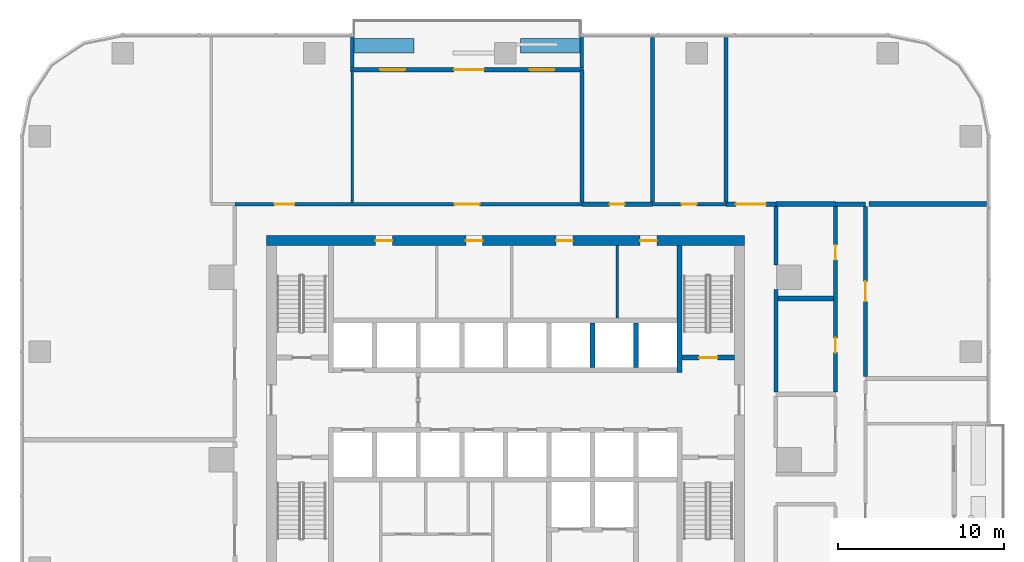
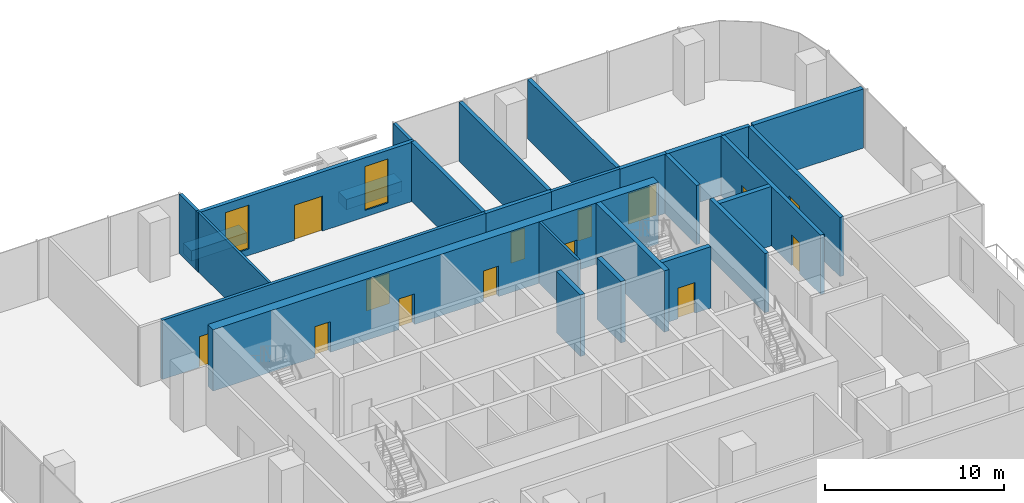
# One storey, part 10 of 14: 27 walls, 14 doors, 2 windows, 16 openings.
"""IFC4 building model written with IfcOpenShell, lengths in metres."""

from ifc_helpers import new_model, si_unit, direction, frame, frame_2d, origin, place, context, subcontext, project, spatial, rectangle, extrude, material, layer, layer_set, type_object, element, fill, save


model = new_model("IFC4")

# Units and contexts
model_context = context("Model", 3, precision=1e-05, world=origin(), true_north=direction((0.0, 1.0)))
body_context = subcontext(model_context, "Body", "Model", "MODEL_VIEW")
ifc_project = project(units=[si_unit("LENGTHUNIT", "METRE"), si_unit("AREAUNIT", "SQUARE_METRE"), si_unit("VOLUMEUNIT", "CUBIC_METRE"), si_unit("PLANEANGLEUNIT", "RADIAN"), si_unit("MASSUNIT", "GRAM", prefix="KILO")], contexts=[model_context])

# Site, building, storey
site_placement = place(None, origin())
site = spatial("IfcSite", under=ifc_project, at=site_placement, CompositionType="ELEMENT")
building_placement = place(site_placement, origin())
building = spatial("IfcBuilding", under=site, at=building_placement, Name="Mopane Tessera Tower", CompositionType="ELEMENT")
storey_placement = place(building_placement, frame((0.0, 0.0, 126.10009765625)))
storey = spatial("IfcBuildingStorey", under=building, at=storey_placement, Name="L25", CompositionType="ELEMENT", Elevation=126.10009765625)

# Wall
ifc_material_1 = material(Name="Fire-rated gypsum board partition")
ifc_layer_1 = layer(ifc_material_1, 0.14990234375)
ifc_layer_set_1 = layer_set([ifc_layer_1], Name="Fire-rated gypsum board partition")
wall_type_1 = type_object("IfcWallType", Name="Core room partition 150 mm", PredefinedType="PARTITIONING", material=ifc_layer_set_1)
wall_1_placement = place(storey_placement, frame((6.75, 8.550048828125, 0.0), z_axis=(0.0, 0.0, 1.0), x_axis=(0.0, 1.0, 0.0)))
element("IfcWall", 1, at=wall_1_placement, inside=storey, type_object=wall_type_1, Name="L25 Room partition", PredefinedType="PARTITIONING", context=body_context, shape_type="SweptSolid", body=[
    extrude(rectangle(XDim=4.349853515625, YDim=0.14990234375, at=frame_2d((2.1748046875, 0.0))), origin(), (0.0, 0.0, 1.0), 4.199951171875),
])

# Wall, openings, doors
ifc_material_2 = material(Name="Concrete C70/85", Category="concrete")
ifc_layer_2 = layer(ifc_material_2, 0.60009765625)
ifc_layer_set_2 = layer_set([ifc_layer_2], Name="Concrete C70/85")
wall_type_2 = type_object("IfcWallType", Name="Core shear wall 600 mm", PredefinedType="SHEAR", material=ifc_layer_set_2)
wall_2_placement = place(storey_placement, frame((-14.39990234375, 13.199951171875, 0.0), z_axis=(0.0, 0.0, 1.0), x_axis=(1.0, 0.0, 0.0)))
wall_2 = element("IfcWall", 2, at=wall_2_placement, inside=storey, type_object=wall_type_2, Name="L25 Core wall north", PredefinedType="SHEAR", context=body_context, shape_type="SweptSolid", body=[
    extrude(rectangle(XDim=28.7998046875, YDim=0.60009765625, at=frame_2d((14.39990234375, 0.0))), origin(), (0.0, 0.0, 1.0), 4.199951171875),
])
opening_1_placement = place(wall_2_placement, frame((6.58740234375, 0.0, 0.0)))
opening_1 = element("IfcOpeningElement", 3, at=opening_1_placement, cuts=wall_2, Name="Opening RD1", PredefinedType="OPENING", context=body_context, shape_type="SweptSolid", body=[
    extrude(rectangle(XDim=1.0, YDim=2.10009765625, at=frame_2d((0.5, 1.050048828125))), frame((0.0, 0.31201171875, 0.0), z_axis=(0.0, -1.0, 0.0), x_axis=(1.0, 0.0, 0.0)), (0.0, 0.0, 1.0), 0.6240234375),
])
opening_2_placement = place(wall_2_placement, frame((12.02490234375, 0.0, 0.0)))
opening_2 = element("IfcOpeningElement", 4, at=opening_2_placement, cuts=wall_2, Name="Opening RD1", PredefinedType="OPENING", context=body_context, shape_type="SweptSolid", body=[
    extrude(rectangle(XDim=1.0, YDim=2.10009765625, at=frame_2d((0.5, 1.050048828125))), frame((0.0, 0.31201171875, 0.0), z_axis=(0.0, -1.0, 0.0), x_axis=(1.0, 0.0, 0.0)), (0.0, 0.0, 1.0), 0.6240234375),
])
opening_3_placement = place(wall_2_placement, frame((17.46240234375, 0.0, 0.0)))
opening_3 = element("IfcOpeningElement", 5, at=opening_3_placement, cuts=wall_2, Name="Opening RD1", PredefinedType="OPENING", context=body_context, shape_type="SweptSolid", body=[
    extrude(rectangle(XDim=1.0, YDim=2.10009765625, at=frame_2d((0.5, 1.050048828125))), frame((0.0, 0.31201171875, 0.0), z_axis=(0.0, -1.0, 0.0), x_axis=(1.0, 0.0, 0.0)), (0.0, 0.0, 1.0), 0.6240234375),
])
opening_4_placement = place(wall_2_placement, frame((22.52490234375, 0.0, 0.0)))
opening_4 = element("IfcOpeningElement", 6, at=opening_4_placement, cuts=wall_2, Name="Opening RD1", PredefinedType="OPENING", context=body_context, shape_type="SweptSolid", body=[
    extrude(rectangle(XDim=1.0, YDim=2.10009765625, at=frame_2d((0.5, 1.050048828125))), frame((0.0, 0.31201171875, 0.0), z_axis=(0.0, -1.0, 0.0), x_axis=(1.0, 0.0, 0.0)), (0.0, 0.0, 1.0), 0.6240234375),
])
ifc_material_3 = material(Name="Timber door", Category="wood")
door_type_1 = type_object("IfcDoorType", Name="Core room door 1000 x 2100", OperationType="SINGLE_SWING_LEFT", PredefinedType="DOOR", material=ifc_material_3)
door_1_placement = place(opening_1_placement, origin())
door_1 = element("IfcDoor", 7, at=door_1_placement, inside=storey, type_object=door_type_1, Name="L25 Room door", OperationType="SINGLE_SWING_LEFT", OverallHeight=2.10009765625, OverallWidth=1.0, PredefinedType="DOOR", context=body_context, shape_type="SweptSolid", body=[
    extrude(rectangle(XDim=1.0, YDim=2.10009765625, at=frame_2d((0.5, 1.050048828125))), frame((0.0, 0.02490234375, 0.0), z_axis=(0.0, -1.0, 0.0), x_axis=(1.0, 0.0, 0.0)), (0.0, 0.0, 1.0), 0.050048828125),
])
fill(opening_1, door_1)
door_2_placement = place(opening_2_placement, origin())
door_2 = element("IfcDoor", 8, at=door_2_placement, inside=storey, type_object=door_type_1, Name="L25 Room door", OperationType="SINGLE_SWING_LEFT", OverallHeight=2.10009765625, OverallWidth=1.0, PredefinedType="DOOR", context=body_context, shape_type="SweptSolid", body=[
    extrude(rectangle(XDim=1.0, YDim=2.10009765625, at=frame_2d((0.5, 1.050048828125))), frame((0.0, 0.02490234375, 0.0), z_axis=(0.0, -1.0, 0.0), x_axis=(1.0, 0.0, 0.0)), (0.0, 0.0, 1.0), 0.050048828125),
])
fill(opening_2, door_2)
door_3_placement = place(opening_3_placement, origin())
door_3 = element("IfcDoor", 9, at=door_3_placement, inside=storey, type_object=door_type_1, Name="L25 Room door", OperationType="SINGLE_SWING_LEFT", OverallHeight=2.10009765625, OverallWidth=1.0, PredefinedType="DOOR", context=body_context, shape_type="SweptSolid", body=[
    extrude(rectangle(XDim=1.0, YDim=2.10009765625, at=frame_2d((0.5, 1.050048828125))), frame((0.0, 0.02490234375, 0.0), z_axis=(0.0, -1.0, 0.0), x_axis=(1.0, 0.0, 0.0)), (0.0, 0.0, 1.0), 0.050048828125),
])
fill(opening_3, door_3)
door_4_placement = place(opening_4_placement, origin())
door_4 = element("IfcDoor", 10, at=door_4_placement, inside=storey, type_object=door_type_1, Name="L25 Room door", OperationType="SINGLE_SWING_LEFT", OverallHeight=2.10009765625, OverallWidth=1.0, PredefinedType="DOOR", context=body_context, shape_type="SweptSolid", body=[
    extrude(rectangle(XDim=1.0, YDim=2.10009765625, at=frame_2d((0.5, 1.050048828125))), frame((0.0, 0.02490234375, 0.0), z_axis=(0.0, -1.0, 0.0), x_axis=(1.0, 0.0, 0.0)), (0.0, 0.0, 1.0), 0.050048828125),
])
fill(opening_4, door_4)

# Wall
ifc_material_4 = material(Name="Concrete C60/75", Category="concrete")
ifc_layer_3 = layer(ifc_material_4, 0.300048828125)
ifc_layer_set_3 = layer_set([ifc_layer_3], Name="Concrete C60/75")
wall_type_3 = type_object("IfcWallType", Name="Core spine wall 300 mm", PredefinedType="SHEAR", material=ifc_layer_set_3)
wall_3_placement = place(storey_placement, frame((10.5, 5.25, 0.0), z_axis=(0.0, 0.0, 1.0), x_axis=(0.0, 1.0, 0.0)))
element("IfcWall", 11, at=wall_3_placement, inside=storey, type_object=wall_type_3, Name="L25 Core spine wall", PredefinedType="SHEAR", context=body_context, shape_type="SweptSolid", body=[
    extrude(rectangle(XDim=7.64990234375, YDim=0.300048828125, at=frame_2d((3.824951171875, 0.0))), origin(), (0.0, 0.0, 1.0), 4.199951171875),
])

# Wall, openings, doors
ifc_material_5 = material(Name="Gypsum board on steel studs, two layers each face, mineral wool infill", Category="steel")
ifc_layer_4 = layer(ifc_material_5, 0.199951171875)
ifc_layer_set_4 = layer_set([ifc_layer_4], Name="Gypsum board on steel studs, two layers each face, mineral wool infill")
wall_type_4 = type_object("IfcWallType", Name="Gypsum board corridor wall 200, rated EI 60", PredefinedType="PARTITIONING", material=ifc_layer_set_4)
wall_4_placement = place(storey_placement, frame((-16.300048828125, 15.39990234375, 0.0), z_axis=(0.0, 0.0, 1.0), x_axis=(1.0, 0.0, 0.0)))
wall_4 = element("IfcWall", 12, at=wall_4_placement, inside=storey, type_object=wall_type_4, Name="Partition L25:025", PredefinedType="PARTITIONING", context=body_context, shape_type="SweptSolid", body=[
    extrude(rectangle(XDim=20.91015625, YDim=0.199951171875, at=frame_2d((10.455078125, 0.0))), origin(), (0.0, 0.0, 1.0), 4.0498046875),
])
opening_5_placement = place(wall_4_placement, frame((13.2451171875, 0.0, 0.0)))
opening_5 = element("IfcOpeningElement", 13, at=opening_5_placement, cuts=wall_4, Name="Opening L25-03", PredefinedType="OPENING", context=body_context, shape_type="SweptSolid", body=[
    extrude(rectangle(XDim=1.5, YDim=2.10009765625, at=frame_2d((0.75, 1.050048828125))), frame((0.0, 0.112060546875, 0.0), z_axis=(0.0, -1.0, 0.0), x_axis=(1.0, 0.0, 0.0)), (0.0, 0.0, 1.0), 0.223876953125),
])
opening_6_placement = place(wall_4_placement, frame((2.387451171875, 0.0, 0.0)))
opening_6 = element("IfcOpeningElement", 14, at=opening_6_placement, cuts=wall_4, Name="Opening L25-15", PredefinedType="OPENING", context=body_context, shape_type="SweptSolid", body=[
    extrude(rectangle(XDim=1.199951171875, YDim=2.10009765625, at=frame_2d((0.60009765625, 1.050048828125))), frame((0.0, 0.112060546875, 0.0), z_axis=(0.0, -1.0, 0.0), x_axis=(1.0, 0.0, 0.0)), (0.0, 0.0, 1.0), 0.223876953125),
])
ifc_material_6 = material(Name="Timber veneered steel-framed fire door", Category="steel")
door_type_2 = type_object("IfcDoorType", Name="Fire door FD60 1200 x 2100", OperationType="SINGLE_SWING_LEFT", PredefinedType="DOOR", material=ifc_material_6)
door_5_placement = place(opening_6_placement, origin())
door_5 = element("IfcDoor", 15, at=door_5_placement, inside=storey, type_object=door_type_2, Name="Door L25-15", ObjectType="D15A", OperationType="SINGLE_SWING_RIGHT", OverallHeight=2.10009765625, OverallWidth=1.199951171875, PredefinedType="DOOR", context=body_context, shape_type="SweptSolid", body=[
    extrude(rectangle(XDim=1.199951171875, YDim=2.10009765625, at=frame_2d((0.60009765625, 1.050048828125))), frame((0.0, 0.02490234375, 0.0), z_axis=(0.0, -1.0, 0.0), x_axis=(1.0, 0.0, 0.0)), (0.0, 0.0, 1.0), 0.050048828125),
])
fill(opening_6, door_5)
ifc_material_7 = material(Name="Timber veneered steel-framed fire door", Category="steel")
door_type_3 = type_object("IfcDoorType", Name="Fire door pair FD60 1500 x 2100", OperationType="DOUBLE_DOOR_SINGLE_SWING", PredefinedType="DOOR", material=ifc_material_7)
door_6_placement = place(opening_5_placement, origin())
door_6 = element("IfcDoor", 16, at=door_6_placement, inside=storey, type_object=door_type_3, Name="Door L25-03", ObjectType="D17A", OperationType="DOUBLE_DOOR_SINGLE_SWING", OverallHeight=2.10009765625, OverallWidth=1.5, PredefinedType="DOOR", context=body_context, shape_type="SweptSolid", body=[
    extrude(rectangle(XDim=1.5, YDim=2.10009765625, at=frame_2d((0.75, 1.050048828125))), frame((0.0, 0.02490234375, 0.0), z_axis=(0.0, -1.0, 0.0), x_axis=(1.0, 0.0, 0.0)), (0.0, 0.0, 1.0), 0.050048828125),
])
fill(opening_5, door_6)

# Wall, opening, door
wall_5_placement = place(storey_placement, frame((8.860107421875, 15.39990234375, 0.0), z_axis=(0.0, 0.0, 1.0), x_axis=(1.0, 0.0, 0.0)))
wall_5 = element("IfcWall", 17, at=wall_5_placement, inside=storey, type_object=wall_type_4, Name="Partition L25:026", PredefinedType="PARTITIONING", context=body_context, shape_type="SweptSolid", body=[
    extrude(rectangle(XDim=4.429931640625, YDim=0.199951171875, at=frame_2d((2.21484375, 0.0))), origin(), (0.0, 0.0, 1.0), 4.0498046875),
])
opening_7_placement = place(wall_5_placement, frame((1.764892578125, 0.0, 0.0)))
opening_7 = element("IfcOpeningElement", 18, at=opening_7_placement, cuts=wall_5, Name="Opening L25-21", PredefinedType="OPENING", context=body_context, shape_type="SweptSolid", body=[
    extrude(rectangle(XDim=0.89990234375, YDim=2.10009765625, at=frame_2d((0.449951171875, 1.050048828125))), frame((0.0, 0.112060546875, 0.0), z_axis=(0.0, -1.0, 0.0), x_axis=(1.0, 0.0, 0.0)), (0.0, 0.0, 1.0), 0.223876953125),
])
ifc_material_8 = material(Name="Timber veneered steel-framed fire door", Category="steel")
door_type_4 = type_object("IfcDoorType", Name="Fire door FD60 900 x 2100", OperationType="SINGLE_SWING_LEFT", PredefinedType="DOOR", material=ifc_material_8)
door_7_placement = place(opening_7_placement, origin())
door_7 = element("IfcDoor", 19, at=door_7_placement, inside=storey, type_object=door_type_4, Name="Door L25-21", ObjectType="D10A", OperationType="SINGLE_SWING_RIGHT", OverallHeight=2.10009765625, OverallWidth=0.89990234375, PredefinedType="DOOR", context=body_context, shape_type="SweptSolid", body=[
    extrude(rectangle(XDim=0.89990234375, YDim=2.10009765625, at=frame_2d((0.449951171875, 1.050048828125))), frame((0.0, 0.02490234375, 0.0), z_axis=(0.0, -1.0, 0.0), x_axis=(1.0, 0.0, 0.0)), (0.0, 0.0, 1.0), 0.050048828125),
])
fill(opening_7, door_7)

# Wall
ifc_material_9 = material(Name="Gypsum board on steel studs, mineral wool infill", Category="steel")
ifc_layer_5 = layer(ifc_material_9, 0.14990234375)
ifc_layer_set_5 = layer_set([ifc_layer_5], Name="Gypsum board on steel studs, mineral wool infill")
wall_type_5 = type_object("IfcWallType", Name="Gypsum board partition 150, rated EI 60", PredefinedType="PARTITIONING", material=ifc_layer_set_5)
wall_6_placement = place(storey_placement, frame((-9.219970703125, 15.5, 0.0), z_axis=(0.0, 0.0, 1.0), x_axis=(0.0, 1.0, 0.0)))
element("IfcWall", 20, at=wall_6_placement, inside=storey, type_object=wall_type_5, Name="Partition L25:039", PredefinedType="PARTITIONING", context=body_context, shape_type="SweptSolid", body=[
    extrude(rectangle(XDim=7.949951171875, YDim=0.14990234375, at=frame_2d((3.97509765625, 0.0))), origin(), (0.0, 0.0, 1.0), 4.0498046875),
])

# Wall, opening, door
ifc_material_10 = material(Name="Concrete C50/60", Category="concrete")
ifc_layer_6 = layer(ifc_material_10, 0.300048828125)
ifc_layer_set_6 = layer_set([ifc_layer_6], Name="Concrete C50/60")
wall_type_6 = type_object("IfcWallType", Name="Lift and stair shaft wall 300 mm", PredefinedType="SOLIDWALL", material=ifc_layer_set_6)
wall_7_placement = place(storey_placement, frame((10.64990234375, 6.14990234375, 0.0), z_axis=(0.0, 0.0, 1.0), x_axis=(1.0, 0.0, 0.0)))
wall_7 = element("IfcWall", 21, at=wall_7_placement, inside=storey, type_object=wall_type_6, Name="L25 Stair enclosure wall", PredefinedType="SOLIDWALL", context=body_context, shape_type="SweptSolid", body=[
    extrude(rectangle(XDim=3.150146484375, YDim=0.300048828125, at=frame_2d((1.5751953125, 0.0))), origin(), (0.0, 0.0, 1.0), 4.199951171875),
])
opening_8_placement = place(wall_7_placement, frame((1.02490234375, 0.0, 0.0)))
opening_8 = element("IfcOpeningElement", 22, at=opening_8_placement, cuts=wall_7, Name="Opening SD1", PredefinedType="OPENING", context=body_context, shape_type="SweptSolid", body=[
    extrude(rectangle(XDim=1.10009765625, YDim=2.10009765625, at=frame_2d((0.550048828125, 1.050048828125))), frame((0.0, 0.162109375, 0.0), z_axis=(0.0, -1.0, 0.0), x_axis=(1.0, 0.0, 0.0)), (0.0, 0.0, 1.0), 0.323974609375),
])
ifc_material_11 = material(Name="Steel fire door", Category="steel")
door_type_5 = type_object("IfcDoorType", Name="Stair fire door 1100 x 2100", OperationType="SINGLE_SWING_LEFT", PredefinedType="DOOR", material=ifc_material_11)
door_8_placement = place(opening_8_placement, origin())
door_8 = element("IfcDoor", 23, at=door_8_placement, inside=storey, type_object=door_type_5, Name="L25 Stair door ST4", OperationType="SINGLE_SWING_RIGHT", OverallHeight=2.10009765625, OverallWidth=1.10009765625, PredefinedType="DOOR", context=body_context, shape_type="SweptSolid", body=[
    extrude(rectangle(XDim=1.10009765625, YDim=2.10009765625, at=frame_2d((0.550048828125, 1.050048828125))), frame((0.0, 0.02490234375, 0.0), z_axis=(0.0, -1.0, 0.0), x_axis=(1.0, 0.0, 0.0)), (0.0, 0.0, 1.0), 0.050048828125),
])
fill(opening_8, door_8)

# Walls
for number, where, z_axis, x_axis, name in (
    (24, (5.25, 5.550048828125, 0.0), (0.0, 0.0, 1.0), (0.0, 1.0, 0.0), "L25 Lift shaft wall"),
    (25, (7.875, 5.550048828125, 0.0), (0.0, 0.0, 1.0), (0.0, 1.0, 0.0), "L25 Lift shaft wall"),
):
    element("IfcWall", number, at=place(storey_placement, frame(where, z_axis=z_axis, x_axis=x_axis)), inside=storey, type_object=wall_type_6, Name=name, PredefinedType="SOLIDWALL", context=body_context, shape_type="SweptSolid", body=[
        extrude(rectangle(XDim=2.699951171875, YDim=0.300048828125, at=frame_2d((1.35009765625, 0.0))), origin(), (0.0, 0.0, 1.0), 4.199951171875),
    ])
ifc_material_12 = material(Name="Reinforced concrete C32/40 with waterproofing", Category="concrete")
ifc_layer_7 = layer(ifc_material_12, 0.89990234375)
ifc_layer_set_7 = layer_set([ifc_layer_7], Name="Reinforced concrete C32/40 with waterproofing")
wall_type_7 = type_object("IfcWallType", Name="Planter trough 3600 x 900", PredefinedType="STANDARD", material=ifc_layer_set_7)
for number, where, z_axis, x_axis, name in (
    (26, (4.510009765625, 24.949951171875, 0.0), (0.0, 0.0, 1.0), (-1.0, 0.0, 0.0), "e:nw:L25:N1:pl0"),
    (27, (-5.52001953125, 24.949951171875, 0.0), (0.0, 0.0, 1.0), (-1.0, 0.0, 0.0), "e:nw:L25:N1:pl1"),
):
    element("IfcWall", number, at=place(storey_placement, frame(where, z_axis=z_axis, x_axis=x_axis)), inside=storey, type_object=wall_type_7, Name=name, PredefinedType="STANDARD", context=body_context, shape_type="SweptSolid", body=[
        extrude(rectangle(XDim=3.60009765625, YDim=0.89990234375, at=frame_2d((1.800048828125, 0.0))), origin(), (0.0, 0.0, 1.0), 0.699951171875),
    ])
ifc_material_13 = material(Name="Plastered concrete blockwork C20/25", Category="masonry")
ifc_layer_8 = layer(ifc_material_13, 0.300048828125)
ifc_layer_set_8 = layer_set([ifc_layer_8], Name="Plastered concrete blockwork C20/25")
wall_type_8 = type_object("IfcWallType", Name="Plastered blockwork separation wall 300, rated EI 120", PredefinedType="PARTITIONING", material=ifc_layer_set_8)
wall_8_placement = place(storey_placement, frame((16.425048828125, 9.72509765625, 0.0), z_axis=(0.0, 0.0, 1.0), x_axis=(1.0, 0.0, 0.0)))
element("IfcWall", 28, at=wall_8_placement, inside=storey, type_object=wall_type_8, Name="Partition L25:023", PredefinedType="PARTITIONING", context=body_context, shape_type="SweptSolid", body=[
    extrude(rectangle(XDim=3.349853515625, YDim=0.300048828125, at=frame_2d((1.6748046875, 0.0))), origin(), (0.0, 0.0, 1.0), 4.0498046875),
])
wall_9_placement = place(storey_placement, frame((16.300048828125, 15.39990234375, 0.0), z_axis=(0.0, 0.0, 1.0), x_axis=(1.0, 0.0, 0.0)))
element("IfcWall", 29, at=wall_9_placement, inside=storey, type_object=wall_type_8, Name="Partition L25:030", PredefinedType="PARTITIONING", context=body_context, shape_type="SweptSolid", body=[
    extrude(rectangle(XDim=3.599853515625, YDim=0.300048828125, at=frame_2d((1.7998046875, 0.0))), origin(), (0.0, 0.0, 1.0), 4.0498046875),
])
wall_10_placement = place(storey_placement, frame((21.905029296875, 15.39990234375, 0.0), z_axis=(0.0, 0.0, 1.0), x_axis=(1.0, 0.0, 0.0)))
element("IfcWall", 30, at=wall_10_placement, inside=storey, type_object=wall_type_8, Name="Partition L25:031", PredefinedType="PARTITIONING", context=body_context, shape_type="SweptSolid", body=[
    extrude(rectangle(XDim=7.094970703125, YDim=0.300048828125, at=frame_2d((3.54736328125, 0.0))), origin(), (0.0, 0.0, 1.0), 4.0498046875),
])

# Wall, opening, door
ifc_material_14 = material(Name="Plastered concrete blockwork C20/25", Category="masonry")
ifc_layer_9 = layer(ifc_material_14, 0.25)
ifc_layer_set_9 = layer_set([ifc_layer_9], Name="Plastered concrete blockwork C20/25")
wall_type_9 = type_object("IfcWallType", Name="Plastered blockwork wall 250, rated EI 120", PredefinedType="PARTITIONING", material=ifc_layer_set_9)
wall_11_placement = place(storey_placement, frame((4.610107421875, 15.39990234375, 0.0), z_axis=(0.0, 0.0, 1.0), x_axis=(1.0, 0.0, 0.0)))
wall_11 = element("IfcWall", 31, at=wall_11_placement, inside=storey, type_object=wall_type_9, Name="Partition L25:027", PredefinedType="PARTITIONING", context=body_context, shape_type="SweptSolid", body=[
    extrude(rectangle(XDim=4.25, YDim=0.25, at=frame_2d((2.125, 0.0))), origin(), (0.0, 0.0, 1.0), 4.0498046875),
])
opening_9_placement = place(wall_11_placement, frame((1.675048828125, 0.0, 0.0)))
opening_9 = element("IfcOpeningElement", 32, at=opening_9_placement, cuts=wall_11, Name="Opening L25-12", PredefinedType="OPENING", context=body_context, shape_type="SweptSolid", body=[
    extrude(rectangle(XDim=0.89990234375, YDim=2.10009765625, at=frame_2d((0.449951171875, 1.050048828125))), frame((0.0, 0.136962890625, 0.0), z_axis=(0.0, -1.0, 0.0), x_axis=(1.0, 0.0, 0.0)), (0.0, 0.0, 1.0), 0.27392578125),
])
ifc_material_15 = material(Name="Timber veneered steel-framed fire door", Category="steel")
door_type_6 = type_object("IfcDoorType", Name="Fire door FD120 900 x 2100", OperationType="SINGLE_SWING_LEFT", PredefinedType="DOOR", material=ifc_material_15)
door_9_placement = place(opening_9_placement, origin())
door_9 = element("IfcDoor", 33, at=door_9_placement, inside=storey, type_object=door_type_6, Name="Door L25-12", ObjectType="D10B", OperationType="SINGLE_SWING_RIGHT", OverallHeight=2.10009765625, OverallWidth=0.89990234375, PredefinedType="DOOR", context=body_context, shape_type="SweptSolid", body=[
    extrude(rectangle(XDim=0.89990234375, YDim=2.10009765625, at=frame_2d((0.449951171875, 1.050048828125))), frame((0.0, 0.02490234375, 0.0), z_axis=(0.0, -1.0, 0.0), x_axis=(1.0, 0.0, 0.0)), (0.0, 0.0, 1.0), 0.050048828125),
])
fill(opening_9, door_9)

wall_12_placement = place(storey_placement, frame((13.2900390625, 15.39990234375, 0.0), z_axis=(0.0, 0.0, 1.0), x_axis=(1.0, 0.0, 0.0)))
wall_12 = element("IfcWall", 34, at=wall_12_placement, inside=storey, type_object=wall_type_9, Name="Partition L25:028", PredefinedType="PARTITIONING", context=body_context, shape_type="SweptSolid", body=[
    extrude(rectangle(XDim=3.010009765625, YDim=0.25, at=frame_2d((1.5048828125, 0.0))), origin(), (0.0, 0.0, 1.0), 4.0498046875),
])
opening_10_placement = place(wall_12_placement, frame((0.60498046875, 0.0, 0.0)))
opening_10 = element("IfcOpeningElement", 35, at=opening_10_placement, cuts=wall_12, Name="Opening L25-18", PredefinedType="OPENING", context=body_context, shape_type="SweptSolid", body=[
    extrude(rectangle(XDim=1.800048828125, YDim=2.10009765625, at=frame_2d((0.89990234375, 1.050048828125))), frame((0.0, 0.136962890625, 0.0), z_axis=(0.0, -1.0, 0.0), x_axis=(1.0, 0.0, 0.0)), (0.0, 0.0, 1.0), 0.27392578125),
])
ifc_material_16 = material(Name="Timber veneered steel-framed fire door", Category="steel")
door_type_7 = type_object("IfcDoorType", Name="Fire door pair FD120 1800 x 2100", OperationType="DOUBLE_DOOR_SINGLE_SWING", PredefinedType="DOOR", material=ifc_material_16)
door_10_placement = place(opening_10_placement, origin())
door_10 = element("IfcDoor", 36, at=door_10_placement, inside=storey, type_object=door_type_7, Name="Door L25-18", ObjectType="D20B", OperationType="DOUBLE_DOOR_SINGLE_SWING", OverallHeight=2.10009765625, OverallWidth=1.800048828125, PredefinedType="DOOR", context=body_context, shape_type="SweptSolid", body=[
    extrude(rectangle(XDim=1.800048828125, YDim=2.10009765625, at=frame_2d((0.89990234375, 1.050048828125))), frame((0.0, 0.02490234375, 0.0), z_axis=(0.0, -1.0, 0.0), x_axis=(1.0, 0.0, 0.0)), (0.0, 0.0, 1.0), 0.050048828125),
])
fill(opening_10, door_10)

# Walls
wall_13_placement = place(storey_placement, frame((19.89990234375, 15.39990234375, 0.0), z_axis=(0.0, 0.0, 1.0), x_axis=(1.0, 0.0, 0.0)))
element("IfcWall", 37, at=wall_13_placement, inside=storey, type_object=wall_type_9, Name="Partition L25:029", PredefinedType="PARTITIONING", context=body_context, shape_type="SweptSolid", body=[
    extrude(rectangle(XDim=1.800048828125, YDim=0.25, at=frame_2d((0.89990234375, 0.0))), origin(), (0.0, 0.0, 1.0), 4.0498046875),
])
wall_14_placement = place(storey_placement, frame((4.610107421875, 15.52490234375, 0.0), z_axis=(0.0, 0.0, 1.0), x_axis=(0.0, 1.0, 0.0)))
element("IfcWall", 38, at=wall_14_placement, inside=storey, type_object=wall_type_9, Name="Partition L25:044", PredefinedType="PARTITIONING", context=body_context, shape_type="SweptSolid", body=[
    extrude(rectangle(XDim=7.925048828125, YDim=0.25, at=frame_2d((3.96240234375, 0.0))), origin(), (0.0, 0.0, 1.0), 4.0498046875),
])
for number, where, z_axis, x_axis, name in (
    (39, (8.860107421875, 15.52490234375, 0.0), (0.0, 0.0, 1.0), (0.0, 1.0, 0.0), "Partition L25:045"),
    (40, (13.2900390625, 15.52490234375, 0.0), (0.0, 0.0, 1.0), (0.0, 1.0, 0.0), "Partition L25:047"),
):
    element("IfcWall", number, at=place(storey_placement, frame(where, z_axis=z_axis, x_axis=x_axis)), inside=storey, type_object=wall_type_9, Name=name, PredefinedType="PARTITIONING", context=body_context, shape_type="SweptSolid", body=[
        extrude(rectangle(XDim=9.925048828125, YDim=0.25, at=frame_2d((4.96240234375, 0.0))), origin(), (0.0, 0.0, 1.0), 4.0498046875),
    ])
wall_15_placement = place(storey_placement, frame((16.300048828125, 4.070068359375, 0.0), z_axis=(0.0, 0.0, 1.0), x_axis=(0.0, 1.0, 0.0)))
element("IfcWall", 41, at=wall_15_placement, inside=storey, type_object=wall_type_9, Name="Partition L25:052", PredefinedType="PARTITIONING", context=body_context, shape_type="SweptSolid", body=[
    extrude(rectangle(XDim=6.179931640625, YDim=0.25, at=frame_2d((3.08984375, 0.0))), origin(), (0.0, 0.0, 1.0), 4.0498046875),
])
wall_16_placement = place(storey_placement, frame((16.300048828125, 11.75, 0.0), z_axis=(0.0, 0.0, 1.0), x_axis=(0.0, 1.0, 0.0)))
element("IfcWall", 42, at=wall_16_placement, inside=storey, type_object=wall_type_9, Name="Partition L25:053", PredefinedType="PARTITIONING", context=body_context, shape_type="SweptSolid", body=[
    extrude(rectangle(XDim=3.5, YDim=0.25, at=frame_2d((1.75, 0.0))), origin(), (0.0, 0.0, 1.0), 4.0498046875),
])

# Wall, openings, doors
wall_17_placement = place(storey_placement, frame((19.89990234375, 4.070068359375, 0.0), z_axis=(0.0, 0.0, 1.0), x_axis=(0.0, 1.0, 0.0)))
wall_17 = element("IfcWall", 43, at=wall_17_placement, inside=storey, type_object=wall_type_9, Name="Partition L25:056", PredefinedType="PARTITIONING", context=body_context, shape_type="SweptSolid", body=[
    extrude(rectangle(XDim=11.179931640625, YDim=0.25, at=frame_2d((5.58984375, 0.0))), origin(), (0.0, 0.0, 1.0), 4.0498046875),
])
opening_11_placement = place(wall_17_placement, frame((2.37744140625, 0.0, 0.0)))
opening_11 = element("IfcOpeningElement", 44, at=opening_11_placement, cuts=wall_17, Name="Opening L25-01", PredefinedType="OPENING", context=body_context, shape_type="SweptSolid", body=[
    extrude(rectangle(XDim=0.89990234375, YDim=2.10009765625, at=frame_2d((0.449951171875, 1.050048828125))), frame((0.0, 0.136962890625, 0.0), z_axis=(0.0, -1.0, 0.0), x_axis=(1.0, 0.0, 0.0)), (0.0, 0.0, 1.0), 0.27392578125),
])
opening_12_placement = place(wall_17_placement, frame((7.967529296875, 0.0, 0.0)))
opening_12 = element("IfcOpeningElement", 45, at=opening_12_placement, cuts=wall_17, Name="Opening L25-13", PredefinedType="OPENING", context=body_context, shape_type="SweptSolid", body=[
    extrude(rectangle(XDim=0.89990234375, YDim=2.10009765625, at=frame_2d((0.449951171875, 1.050048828125))), frame((0.0, 0.136962890625, 0.0), z_axis=(0.0, -1.0, 0.0), x_axis=(1.0, 0.0, 0.0)), (0.0, 0.0, 1.0), 0.27392578125),
])
door_11_placement = place(opening_11_placement, origin())
door_11 = element("IfcDoor", 46, at=door_11_placement, inside=storey, type_object=door_type_6, Name="Door L25-01", ObjectType="D10B", OperationType="SINGLE_SWING_LEFT", OverallHeight=2.10009765625, OverallWidth=0.89990234375, PredefinedType="DOOR", context=body_context, shape_type="SweptSolid", body=[
    extrude(rectangle(XDim=0.89990234375, YDim=2.10009765625, at=frame_2d((0.449951171875, 1.050048828125))), frame((0.0, 0.02490234375, 0.0), z_axis=(0.0, -1.0, 0.0), x_axis=(1.0, 0.0, 0.0)), (0.0, 0.0, 1.0), 0.050048828125),
])
fill(opening_11, door_11)
door_12_placement = place(opening_12_placement, origin())
door_12 = element("IfcDoor", 47, at=door_12_placement, inside=storey, type_object=door_type_6, Name="Door L25-13", ObjectType="D10B", OperationType="SINGLE_SWING_LEFT", OverallHeight=2.10009765625, OverallWidth=0.89990234375, PredefinedType="DOOR", context=body_context, shape_type="SweptSolid", body=[
    extrude(rectangle(XDim=0.89990234375, YDim=2.10009765625, at=frame_2d((0.449951171875, 1.050048828125))), frame((0.0, 0.02490234375, 0.0), z_axis=(0.0, -1.0, 0.0), x_axis=(1.0, 0.0, 0.0)), (0.0, 0.0, 1.0), 0.050048828125),
])
fill(opening_12, door_12)

# Wall, opening, door
wall_18_placement = place(storey_placement, frame((21.699951171875, 5.02490234375, 0.0), z_axis=(0.0, 0.0, 1.0), x_axis=(0.0, 1.0, 0.0)))
wall_18 = element("IfcWall", 48, at=wall_18_placement, inside=storey, type_object=wall_type_9, Name="Partition L25:059", PredefinedType="PARTITIONING", context=body_context, shape_type="SweptSolid", body=[
    extrude(rectangle(XDim=10.25, YDim=0.25, at=frame_2d((5.125, 0.0))), origin(), (0.0, 0.0, 1.0), 4.0498046875),
])
opening_13_placement = place(wall_18_placement, frame((4.52490234375, 0.0, 0.0)))
opening_13 = element("IfcOpeningElement", 49, at=opening_13_placement, cuts=wall_18, Name="Opening L25-08", PredefinedType="OPENING", context=body_context, shape_type="SweptSolid", body=[
    extrude(rectangle(XDim=1.199951171875, YDim=2.10009765625, at=frame_2d((0.60009765625, 1.050048828125))), frame((0.0, 0.136962890625, 0.0), z_axis=(0.0, -1.0, 0.0), x_axis=(1.0, 0.0, 0.0)), (0.0, 0.0, 1.0), 0.27392578125),
])
ifc_material_17 = material(Name="Timber veneered steel-framed fire door", Category="steel")
door_type_8 = type_object("IfcDoorType", Name="Fire door FD120 1200 x 2100", OperationType="SINGLE_SWING_LEFT", PredefinedType="DOOR", material=ifc_material_17)
door_13_placement = place(opening_13_placement, origin())
door_13 = element("IfcDoor", 50, at=door_13_placement, inside=storey, type_object=door_type_8, Name="Door L25-08", ObjectType="D15B", OperationType="SINGLE_SWING_LEFT", OverallHeight=2.10009765625, OverallWidth=1.199951171875, PredefinedType="DOOR", context=body_context, shape_type="SweptSolid", body=[
    extrude(rectangle(XDim=1.199951171875, YDim=2.10009765625, at=frame_2d((0.60009765625, 1.050048828125))), frame((0.0, 0.02490234375, 0.0), z_axis=(0.0, -1.0, 0.0), x_axis=(1.0, 0.0, 0.0)), (0.0, 0.0, 1.0), 0.050048828125),
])
fill(opening_13, door_13)

# Walls
ifc_material_18 = material(Name="Blockwork with glazed tile facing", Category="masonry")
ifc_layer_10 = layer(ifc_material_18, 0.199951171875)
ifc_layer_set_10 = layer_set([ifc_layer_10], Name="Blockwork with glazed tile facing")
wall_type_10 = type_object("IfcWallType", Name="Terrace cheek wall 200", PredefinedType="STANDARD", material=ifc_layer_set_10)
for number, where, z_axis, x_axis, name in (
    (51, (4.610107421875, 25.5, 0.0), (0.0, 0.0, 1.0), (0.0, -1.0, 0.0), "e:nw:L25:N1:cheeka"),
    (52, (-9.219970703125, 25.5, 0.0), (0.0, 0.0, 1.0), (0.0, -1.0, 0.0), "e:nw:L25:N1:cheekb"),
):
    element("IfcWall", number, at=place(storey_placement, frame(where, z_axis=z_axis, x_axis=x_axis)), inside=storey, type_object=wall_type_10, Name=name, PredefinedType="STANDARD", context=body_context, shape_type="SweptSolid", body=[
        extrude(rectangle(XDim=1.875, YDim=0.199951171875, at=frame_2d((0.9375, 0.0))), origin(), (0.0, 0.0, 1.0), 4.0498046875),
    ])

# Wall, openings, windows, door
ifc_material_19 = material(Name="Blockwork with ultramarine glazed tile facing", Category="masonry")
ifc_layer_11 = layer(ifc_material_19, 0.25)
ifc_layer_set_11 = layer_set([ifc_layer_11], Name="Blockwork with ultramarine glazed tile facing")
wall_type_11 = type_object("IfcWallType", Name="Tile-clad external wall 250, ultramarine", PredefinedType="STANDARD", material=ifc_layer_set_11)
wall_19_placement = place(storey_placement, frame((4.7099609375, 23.5, 0.0), z_axis=(0.0, 0.0, 1.0), x_axis=(-1.0, 0.0, 0.0)))
wall_19 = element("IfcWall", 53, at=wall_19_placement, inside=storey, type_object=wall_type_11, Name="e:nw:L25:N1:back", PredefinedType="STANDARD", context=body_context, shape_type="SweptSolid", body=[
    extrude(rectangle(XDim=14.030029296875, YDim=0.25, at=frame_2d((7.01513671875, 0.0))), origin(), (0.0, 0.0, 1.0), 4.0498046875),
])
opening_14_placement = place(wall_19_placement, frame((1.75, 0.0, 0.449951171875)))
opening_14 = element("IfcOpeningElement", 54, at=opening_14_placement, cuts=wall_19, Name="Opening NW251A", PredefinedType="OPENING", context=body_context, shape_type="SweptSolid", body=[
    extrude(rectangle(XDim=1.5, YDim=3.0, at=frame_2d((0.75, 1.5))), frame((0.0, 0.136962890625, 0.0), z_axis=(0.0, -1.0, 0.0), x_axis=(1.0, 0.0, 0.0)), (0.0, 0.0, 1.0), 0.27392578125),
])
opening_15_placement = place(wall_19_placement, frame((6.0, 0.0, 0.0)))
opening_15 = element("IfcOpeningElement", 55, at=opening_15_placement, cuts=wall_19, Name="Opening ND251", PredefinedType="OPENING", context=body_context, shape_type="SweptSolid", body=[
    extrude(rectangle(XDim=1.800048828125, YDim=2.39990234375, at=frame_2d((0.89990234375, 1.199951171875))), frame((0.0, 0.136962890625, 0.0), z_axis=(0.0, -1.0, 0.0), x_axis=(1.0, 0.0, 0.0)), (0.0, 0.0, 1.0), 0.27392578125),
])
opening_16_placement = place(wall_19_placement, frame((10.75, 0.0, 0.449951171875)))
opening_16 = element("IfcOpeningElement", 56, at=opening_16_placement, cuts=wall_19, Name="Opening NW251B", PredefinedType="OPENING", context=body_context, shape_type="SweptSolid", body=[
    extrude(rectangle(XDim=1.5, YDim=3.0, at=frame_2d((0.75, 1.5))), frame((0.0, 0.136962890625, 0.0), z_axis=(0.0, -1.0, 0.0), x_axis=(1.0, 0.0, 0.0)), (0.0, 0.0, 1.0), 0.27392578125),
])
ifc_material_20 = material(Name="Clear laminated glass", Category="glass")
window_type = type_object("IfcWindowType", Name="Fixed window 1500 x 3000", PartitioningType="SINGLE_PANEL", PredefinedType="WINDOW", material=ifc_material_20)
window_1_placement = place(opening_14_placement, origin())
window_1 = element("IfcWindow", 57, at=window_1_placement, inside=storey, type_object=window_type, Name="e:nw:L25:N1:win0", OverallHeight=3.0, OverallWidth=1.5, PartitioningType="SINGLE_PANEL", PredefinedType="WINDOW", context=body_context, shape_type="SweptSolid", body=[
    extrude(rectangle(XDim=1.5, YDim=3.0, at=frame_2d((0.75, 1.5))), frame((0.0, 0.030029296875, 0.0), z_axis=(0.0, -1.0, 0.0), x_axis=(1.0, 0.0, 0.0)), (0.0, 0.0, 1.0), 0.06005859375),
])
fill(opening_14, window_1)
window_2_placement = place(opening_16_placement, origin())
window_2 = element("IfcWindow", 58, at=window_2_placement, inside=storey, type_object=window_type, Name="e:nw:L25:N1:win2", OverallHeight=3.0, OverallWidth=1.5, PartitioningType="SINGLE_PANEL", PredefinedType="WINDOW", context=body_context, shape_type="SweptSolid", body=[
    extrude(rectangle(XDim=1.5, YDim=3.0, at=frame_2d((0.75, 1.5))), frame((0.0, 0.030029296875, 0.0), z_axis=(0.0, -1.0, 0.0), x_axis=(1.0, 0.0, 0.0)), (0.0, 0.0, 1.0), 0.06005859375),
])
fill(opening_16, window_2)
ifc_material_21 = material(Name="Aluminium and clear glass", Category="aluminium")
door_type_9 = type_object("IfcDoorType", Name="Terrace double door 1800 x 2400", OperationType="DOUBLE_DOOR_SINGLE_SWING", PredefinedType="DOOR", material=ifc_material_21)
door_14_placement = place(opening_15_placement, origin())
door_14 = element("IfcDoor", 59, at=door_14_placement, inside=storey, type_object=door_type_9, Name="e:nw:L25:N1:door", ObjectType="D1", OperationType="DOUBLE_DOOR_SINGLE_SWING", OverallHeight=2.39990234375, OverallWidth=1.800048828125, PredefinedType="DOOR", context=body_context, shape_type="SweptSolid", body=[
    extrude(rectangle(XDim=1.800048828125, YDim=2.39990234375, at=frame_2d((0.89990234375, 1.199951171875))), frame((0.0, 0.02490234375, 0.0), z_axis=(0.0, -1.0, 0.0), x_axis=(1.0, 0.0, 0.0)), (0.0, 0.0, 1.0), 0.050048828125),
])
fill(opening_15, door_14)

save(model, "model.ifc")
